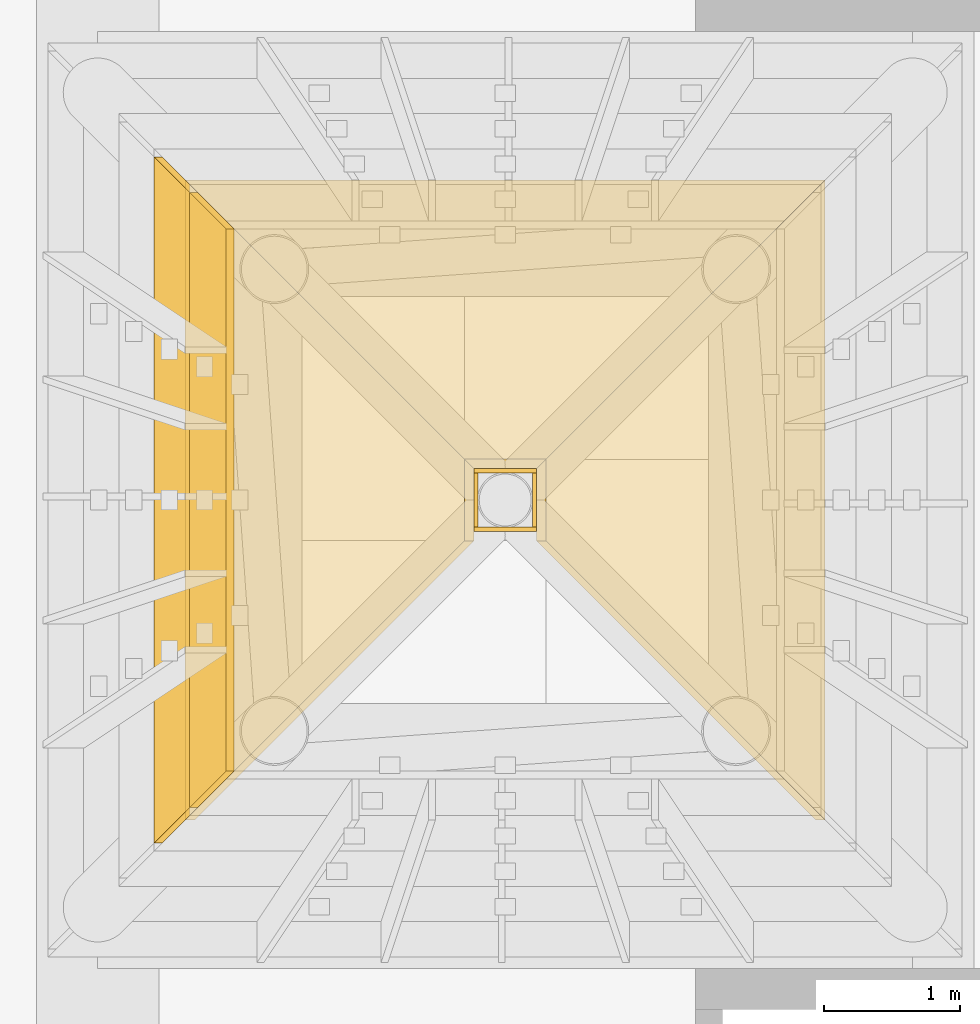
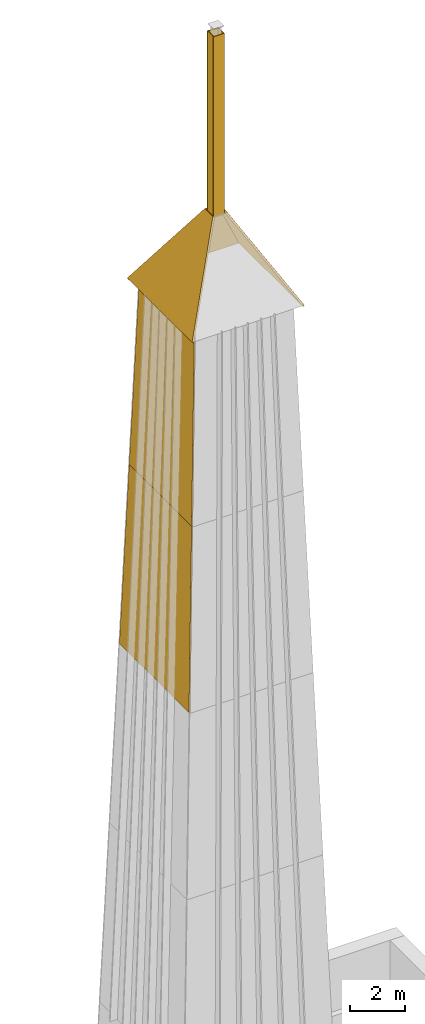
# One storey, part 7 of 8: 9 coverings.
"""IFC4 building model written with IfcOpenShell, lengths in metres."""

from ifc_helpers import new_model, si_unit, direction, frame, origin, place, context, subcontext, project, spatial, polyline, outline, extrude, material, layer, layer_set, type_object, element, save


model = new_model("IFC4")

# Units and contexts
model_context = context("Model", 3, precision=1e-05, world=origin(), true_north=direction((0.0, 1.0)))
body_context = subcontext(model_context, "Body", "Model", "MODEL_VIEW")
ifc_project = project(units=[si_unit("LENGTHUNIT", "METRE"), si_unit("AREAUNIT", "SQUARE_METRE"), si_unit("VOLUMEUNIT", "CUBIC_METRE"), si_unit("PLANEANGLEUNIT", "RADIAN"), si_unit("MASSUNIT", "GRAM", prefix="KILO")], contexts=[model_context])

# Site, building, storey
site_placement = place(None, origin())
site = spatial("IfcSite", under=ifc_project, at=site_placement, CompositionType="ELEMENT")
building_placement = place(site_placement, origin())
building = spatial("IfcBuilding", under=site, at=building_placement, Name="Loomwork Tower", CompositionType="ELEMENT")
storey_placement = place(building_placement, frame((0.0, 0.0, 279.800048828125)))
storey = spatial("IfcBuildingStorey", under=building, at=storey_placement, Name="RF", CompositionType="ELEMENT", Elevation=279.800048828125)

# Coverings
ifc_material_1 = material(Name="Aluminium, bronze anodised", Category="aluminium")
ifc_layer_1 = layer(ifc_material_1, 0.06005859375)
ifc_layer_set_1 = layer_set([ifc_layer_1], Name="Crown bronze panel 60")
covering_type_1 = type_object("IfcCoveringType", Name="Crown bronze panel 60", PredefinedType="CLADDING", material=ifc_layer_set_1)
covering_1_placement = place(storey_placement, frame((19.916015625, 20.52392578125, 24.0), z_axis=(-0.999472253395, 0.0, 0.032484068294), x_axis=(0.0, -1.0, 0.0)))
element("IfcCovering", 1, at=covering_1_placement, inside=storey, type_object=covering_type_1, Name="Crown panel west tier 4", PredefinedType="CLADDING", context=body_context, shape_type="SweptSolid", body=[
    extrude(outline(polyline([(0.0, 0.0), (5.0478515625, 0.0), (4.787841796875, 8.004224202146037), (0.260009765625, 8.004224202146037), (0.0, 0.0)])), origin(), (0.0, 0.0, -1.0), 0.06005859375),
])
covering_2_placement = place(storey_placement, frame((20.176025390625, 20.263916015625, 32.0), z_axis=(-0.999471968999, 0.0, 0.032492817451), x_axis=(0.0, -1.0, 0.0)))
element("IfcCovering", 2, at=covering_2_placement, inside=storey, type_object=covering_type_1, Name="Crown panel west tier 5", PredefinedType="CLADDING", context=body_context, shape_type="SweptSolid", body=[
    extrude(outline(polyline([(0.0, 0.0), (4.52783203125, 0.0), (4.259765625, 8.257534062104245), (0.26806640625, 8.257534062104245), (0.0, 0.0)])), origin(), (0.0, 0.0, -1.0), 0.06005859375),
])
ifc_material_2 = material(Name="Aluminium, bronze anodised", Category="aluminium")
ifc_layer_2 = layer(ifc_material_2, 0.080078125)
ifc_layer_set_2 = layer_set([ifc_layer_2], Name="Crown cap bronze 80")
covering_type_2 = type_object("IfcCoveringType", Name="Crown cap bronze 80", PredefinedType="ROOFING", material=ifc_layer_set_2)
for number, where, z_axis, x_axis, name in (
    (3, (24.855712890625, 15.644287109375, 40.203125), (0.86840255523, 0.0, 0.495859861321), (0.0, 1.0, 0.0), "Crown cap east face"),
    (4, (24.855712890625, 20.355712890625, 40.203125), (0.0, 0.86840255523, 0.495859861321), (-1.0, 0.0, 0.0), "Crown cap north face"),
    (5, (20.144287109375, 20.355712890625, 40.203125), (-0.86840255523, 0.0, 0.495859861321), (0.0, -1.0, 0.0), "Crown cap west face"),
):
    element("IfcCovering", number, at=place(storey_placement, frame(where, z_axis=z_axis, x_axis=x_axis)), inside=storey, type_object=covering_type_2, Name=name, PredefinedType="ROOFING", context=body_context, shape_type="SweptSolid", body=[
        extrude(outline(polyline([(0.0, 0.0), (4.71142578125, 0.0), (2.65576171875, 4.145655300720351), (2.0556640625, 4.145655300720351), (0.0, 0.0)])), origin(), (0.0, 0.0, -1.0), 0.080078125),
    ])
ifc_material_3 = material(Name="Aluminium, bronze anodised", Category="aluminium")
ifc_layer_3 = layer(ifc_material_3, 0.030029296875)
ifc_layer_set_3 = layer_set([ifc_layer_3], Name="Crown finial sleeve bronze 30")
covering_type_3 = type_object("IfcCoveringType", Name="Crown finial sleeve bronze 30", PredefinedType="CLADDING", material=ifc_layer_set_3)
covering_3_placement = place(storey_placement, frame((22.269775390625, 17.769775390625, 43.703125), z_axis=(0.0, -1.0, 0.0), x_axis=(1.0, 0.0, 0.0)))
element("IfcCovering", 6, at=covering_3_placement, inside=storey, type_object=covering_type_3, Name="Crown finial sleeve south face", PredefinedType="CLADDING", context=body_context, shape_type="SweptSolid", body=[
    extrude(outline(polyline([(0.0, 0.0), (0.46044921875, 0.0), (0.46044921875, 7.996826171875), (0.0, 7.996826171875), (0.0, 0.0)])), origin(), (0.0, 0.0, -1.0), 0.030029296875),
])
covering_4_placement = place(storey_placement, frame((22.730224609375, 17.7998046875, 43.703125), z_axis=(1.0, 0.0, 0.0), x_axis=(0.0, 1.0, 0.0)))
element("IfcCovering", 7, at=covering_4_placement, inside=storey, type_object=covering_type_3, Name="Crown finial sleeve east face", PredefinedType="CLADDING", context=body_context, shape_type="SweptSolid", body=[
    extrude(outline(polyline([(0.0, 0.0), (0.400390625, 0.0), (0.400390625, 7.996826171875), (0.0, 7.996826171875), (0.0, 0.0)])), origin(), (0.0, 0.0, -1.0), 0.030029296875),
])
covering_5_placement = place(storey_placement, frame((22.730224609375, 18.230224609375, 43.703125), z_axis=(0.0, 1.0, 0.0), x_axis=(-1.0, 0.0, 0.0)))
element("IfcCovering", 8, at=covering_5_placement, inside=storey, type_object=covering_type_3, Name="Crown finial sleeve north face", PredefinedType="CLADDING", context=body_context, shape_type="SweptSolid", body=[
    extrude(outline(polyline([(0.0, 0.0), (0.46044921875, 0.0), (0.46044921875, 7.996826171875), (0.0, 7.996826171875), (0.0, 0.0)])), origin(), (0.0, 0.0, -1.0), 0.030029296875),
])
covering_6_placement = place(storey_placement, frame((22.269775390625, 18.2001953125, 43.703125), z_axis=(-1.0, 0.0, 0.0), x_axis=(0.0, -1.0, 0.0)))
element("IfcCovering", 9, at=covering_6_placement, inside=storey, type_object=covering_type_3, Name="Crown finial sleeve west face", PredefinedType="CLADDING", context=body_context, shape_type="SweptSolid", body=[
    extrude(outline(polyline([(0.0, 0.0), (0.400390625, 0.0), (0.400390625, 7.996826171875), (0.0, 7.996826171875), (0.0, 0.0)])), origin(), (0.0, 0.0, -1.0), 0.030029296875),
])

save(model, "model.ifc")
